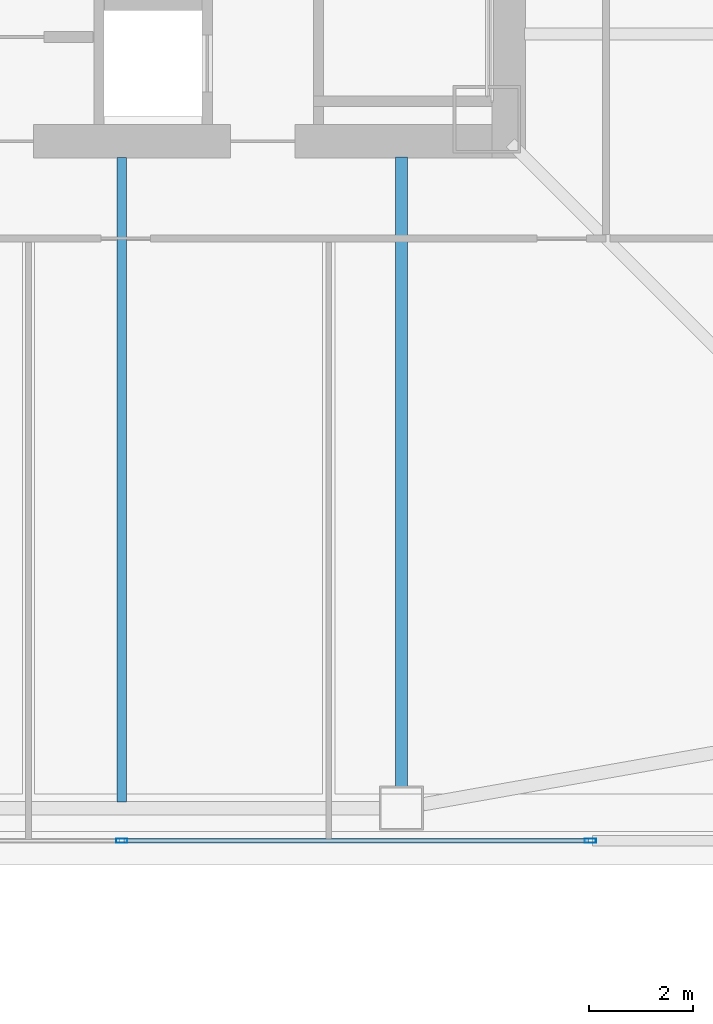
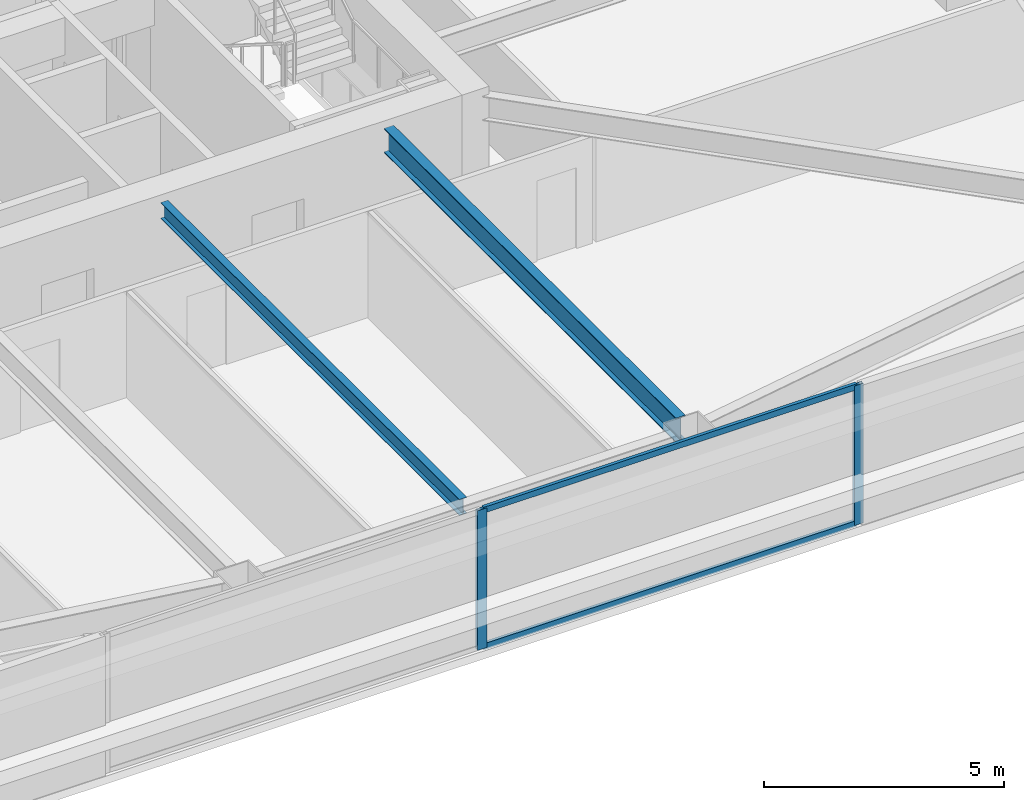
# One storey, part 5 of 47: 4 members, 2 beams, 1 element without a shape of its own.
"""IFC4 building model written with IfcOpenShell, lengths in metres."""

from ifc_helpers import new_model, si_unit, direction, frame, origin, origin_2d, place, context, subcontext, project, spatial, hollow_rectangle, i_section, extrude, material, material_profile, profile_set, type_object, element, aggregate, save


model = new_model("IFC4")

# Units and contexts
model_context = context("Model", 3, precision=1e-05, world=origin(), true_north=direction((0.0, 1.0)))
body_context = subcontext(model_context, "Body", "Model", "MODEL_VIEW")
ifc_project = project(units=[si_unit("LENGTHUNIT", "METRE"), si_unit("AREAUNIT", "SQUARE_METRE"), si_unit("VOLUMEUNIT", "CUBIC_METRE"), si_unit("PLANEANGLEUNIT", "RADIAN"), si_unit("MASSUNIT", "GRAM", prefix="KILO")], contexts=[model_context])

# Site, building, storey
site_placement = place(None, origin())
site = spatial("IfcSite", under=ifc_project, at=site_placement, CompositionType="ELEMENT")
building_placement = place(site_placement, origin())
building = spatial("IfcBuilding", under=site, at=building_placement, Name="Tashvorn Skyway Center", CompositionType="ELEMENT")
storey_placement = place(building_placement, frame((0.0, 0.0, 81.39990234375)))
storey = spatial("IfcBuildingStorey", under=building, at=storey_placement, Name="L21", CompositionType="ELEMENT", Elevation=81.39990234375)

# Beams
ifc_material_1 = material(Name="Steel ASTM A992 Grade 50", Category="steel")
ifc_material_profile_1 = material_profile(ifc_material_1, i_section(OverallWidth=0.22998046875, OverallDepth=0.616943359375, WebThickness=0.01318359375, FlangeThickness=0.022216796875, at=origin_2d()), Name="W24X94")
ifc_profile_set_1 = profile_set([ifc_material_profile_1], Name="Steel ASTM A992 Grade 50")
beam_type_1 = type_object("IfcBeamType", Name="BM-BEAM-W24X94", PredefinedType="BEAM", material=ifc_profile_set_1)
beam_1_placement = place(storey_placement, frame((47.39990234375, 12.070068359375, 3.04150390625), z_axis=(0.0, 1.0, 0.0), x_axis=(-1.0, 0.0, 0.0)))
element("IfcBeam", 1, at=beam_1_placement, inside=storey, type_object=beam_type_1, Name="Tower 1 L21 Primary Floor Girder FC-S2", PredefinedType="BEAM", context=body_context, shape_type="SweptSolid", body=[
    extrude(i_section(OverallWidth=0.22998046875, OverallDepth=0.616943359375, WebThickness=0.01318359375, FlangeThickness=0.022216796875, at=origin_2d()), origin(), (0.0, 0.0, 1.0), 12.14990234375),
])
ifc_material_profile_2 = material_profile(ifc_material_1, i_section(OverallWidth=0.177978515625, OverallDepth=0.406005859375, WebThickness=0.0078125, FlangeThickness=0.0126953125, at=origin_2d()), Name="W16X40")
ifc_profile_set_2 = profile_set([ifc_material_profile_2], Name="Steel ASTM A992 Grade 50")
beam_type_2 = type_object("IfcBeamType", Name="BM-JOIST-W16X40", PredefinedType="JOIST", material=ifc_profile_set_2)
beam_2_placement = place(storey_placement, frame((42.0, 24.2099609375, 3.147216796875), z_axis=(0.0, -1.0, 0.0), x_axis=(1.0, 0.0, 0.0)))
element("IfcBeam", 2, at=beam_2_placement, inside=storey, type_object=beam_type_2, Name="Tower 1 L21 Secondary Composite Joist JS", PredefinedType="JOIST", context=body_context, shape_type="SweptSolid", body=[
    extrude(i_section(OverallWidth=0.177978515625, OverallDepth=0.406005859375, WebThickness=0.0078125, FlangeThickness=0.0126953125, at=origin_2d()), origin(), (0.0, 0.0, 1.0), 12.43994140625),
])

# Curtain wall, members
ifc_material_2 = material(Name="Thermally broken bronze-anodized aluminium 6063-T6", Category="aluminium")
curtain_wall_type = type_object("IfcCurtainWallType", Name="CW-CW-Z2", PredefinedType="NOTDEFINED", material=ifc_material_2)
curtain_wall_placement = place(storey_placement, origin())
curtain_wall = element("IfcCurtainWall", 3, at=curtain_wall_placement, inside=storey, type_object=curtain_wall_type, Name="Tower 1 L21 South Unitised Curtain Wall Glazing Group 2", PredefinedType="NOTDEFINED")
ifc_material_profile_3 = material_profile(ifc_material_2, hollow_rectangle(XDim=0.080078125, YDim=0.219970703125, WallThickness=0.0048828125, at=origin_2d()), Name="ALU-MULL-80x220")
ifc_profile_set_3 = profile_set([ifc_material_profile_3], Name="Thermally broken bronze-anodized aluminium 6063-T6")
member_type_1 = type_object("IfcMemberType", Name="CWM-CW-Z2", PredefinedType="MULLION", material=ifc_profile_set_3)
member_1_placement = place(storey_placement, frame((51.050048828125, 11.02001953125, 0.0), z_axis=(0.0, 0.0, 1.0), x_axis=(0.0, -1.0, 0.0)))
member_1 = element("IfcMember", 4, at=member_1_placement, type_object=member_type_1, Name="CW-Z2 mullion 1", PredefinedType="MULLION", context=body_context, shape_type="SweptSolid", body=[
    extrude(hollow_rectangle(XDim=0.080078125, YDim=0.219970703125, WallThickness=0.0048828125, at=origin_2d()), origin(), (0.0, 0.0, 1.0), 3.550048828125),
])
member_2_placement = place(storey_placement, frame((42.0, 11.02001953125, 0.0), z_axis=(0.0, 0.0, 1.0), x_axis=(0.0, -1.0, 0.0)))
member_2 = element("IfcMember", 5, at=member_2_placement, type_object=member_type_1, Name="CW-Z2 mullion 2", PredefinedType="MULLION", context=body_context, shape_type="SweptSolid", body=[
    extrude(hollow_rectangle(XDim=0.080078125, YDim=0.219970703125, WallThickness=0.0048828125, at=origin_2d()), origin(), (0.0, 0.0, 1.0), 3.550048828125),
])
ifc_material_profile_4 = material_profile(ifc_material_2, hollow_rectangle(XDim=0.080078125, YDim=0.14990234375, WallThickness=0.00439453125, at=origin_2d()), Name="ALU-TRAN-80x150")
ifc_profile_set_4 = profile_set([ifc_material_profile_4], Name="Thermally broken bronze-anodized aluminium 6063-T6")
member_type_2 = type_object("IfcMemberType", Name="CWT-CW-Z2", PredefinedType="USERDEFINED", material=ifc_profile_set_4)
member_3_placement = place(storey_placement, frame((51.010009765625, 11.02001953125, 0.0400390625), z_axis=(-1.0, 0.0, 0.0), x_axis=(0.0, -1.0, 0.0)))
member_3 = element("IfcMember", 6, at=member_3_placement, type_object=member_type_2, Name="CW-Z2 transom 1.1", ObjectType="TRANSOM", PredefinedType="USERDEFINED", context=body_context, shape_type="SweptSolid", body=[
    extrude(hollow_rectangle(XDim=0.080078125, YDim=0.14990234375, WallThickness=0.00439453125, at=origin_2d()), origin(), (0.0, 0.0, 1.0), 8.969970703125),
])
member_4_placement = place(storey_placement, frame((51.010009765625, 11.02001953125, 3.510009765625), z_axis=(-1.0, 0.0, 0.0), x_axis=(0.0, -1.0, 0.0)))
member_4 = element("IfcMember", 7, at=member_4_placement, type_object=member_type_2, Name="CW-Z2 transom 1.2", ObjectType="TRANSOM", PredefinedType="USERDEFINED", context=body_context, shape_type="SweptSolid", body=[
    extrude(hollow_rectangle(XDim=0.080078125, YDim=0.14990234375, WallThickness=0.00439453125, at=origin_2d()), origin(), (0.0, 0.0, 1.0), 8.969970703125),
])
aggregate(curtain_wall, [member_1, member_2, member_3, member_4])

save(model, "model.ifc")
